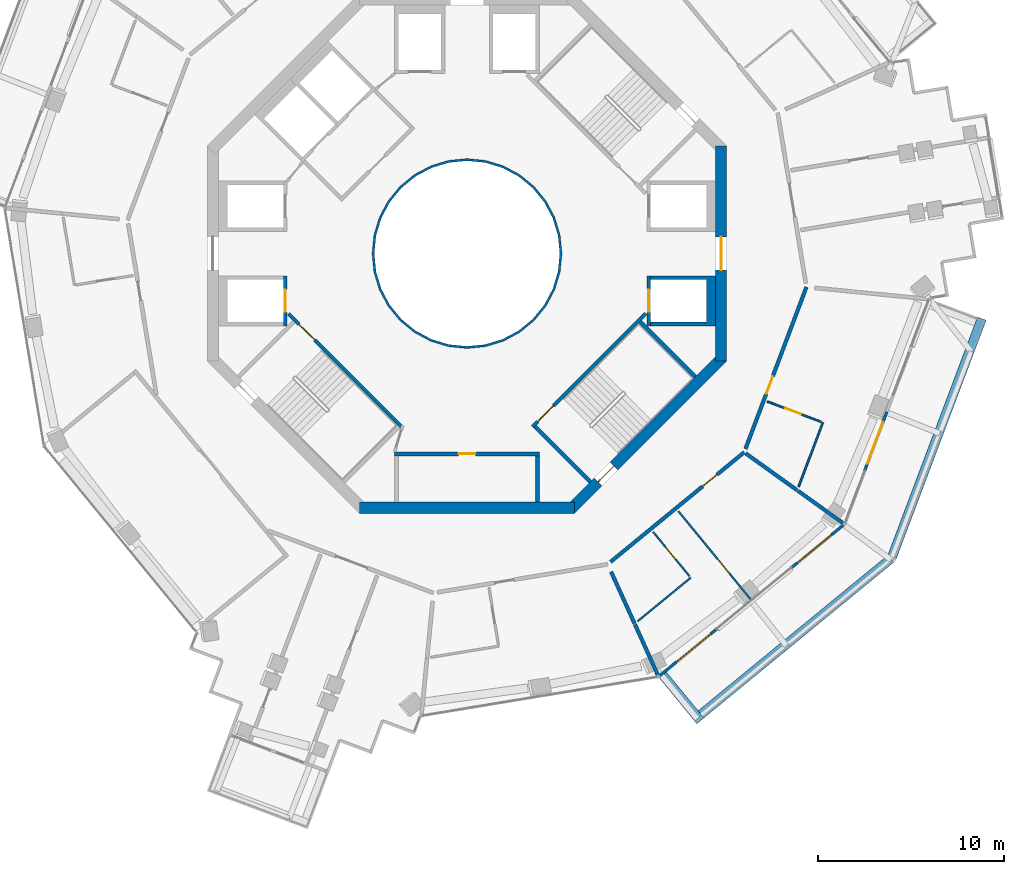
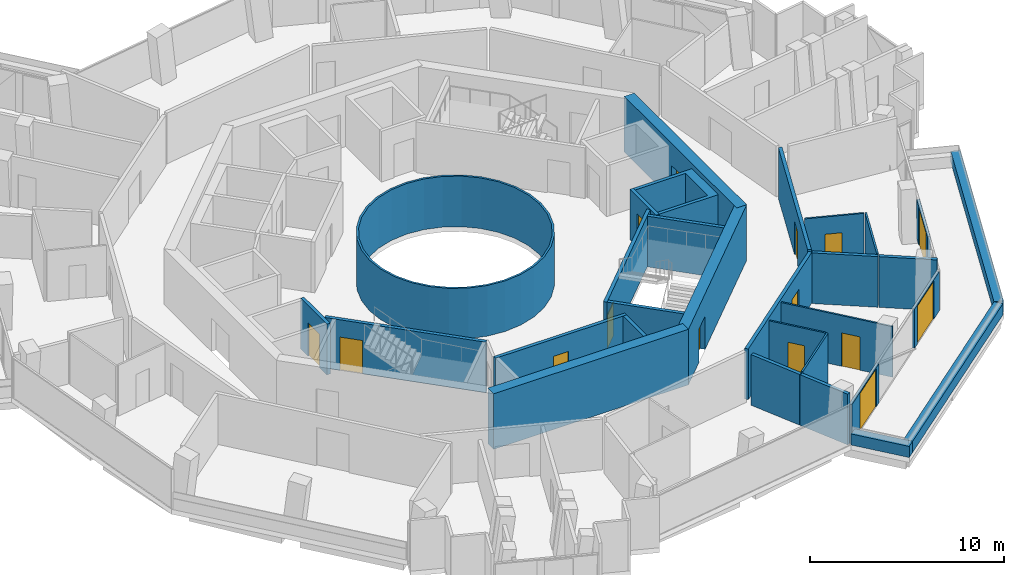
# One storey, part 15 of 21: 30 walls, 15 doors, 15 openings.
"""IFC4 building model written with IfcOpenShell, lengths in metres."""

from ifc_helpers import new_model, si_unit, direction, frame, frame_2d, origin, place, context, subcontext, project, spatial, polyline, rectangle, outline, extrude, material, layer, layer_set, type_object, element, fill, save


model = new_model("IFC4")

# Units and contexts
model_context = context("Model", 3, precision=1e-05, world=origin(), true_north=direction((0.0, 1.0)))
body_context = subcontext(model_context, "Body", "Model", "MODEL_VIEW")
ifc_project = project(units=[si_unit("LENGTHUNIT", "METRE"), si_unit("AREAUNIT", "SQUARE_METRE"), si_unit("VOLUMEUNIT", "CUBIC_METRE"), si_unit("PLANEANGLEUNIT", "RADIAN"), si_unit("MASSUNIT", "GRAM", prefix="KILO")], contexts=[model_context])

# Site, building, storey
site_placement = place(None, origin())
site = spatial("IfcSite", under=ifc_project, at=site_placement, CompositionType="ELEMENT")
building_placement = place(site_placement, origin())
building = spatial("IfcBuilding", under=site, at=building_placement, Name="Verdalira Terraces Hotel", CompositionType="ELEMENT")
storey_placement = place(building_placement, frame((0.0, 0.0, 194.0)))
storey = spatial("IfcBuildingStorey", under=building, at=storey_placement, Name="L47", CompositionType="ELEMENT", Elevation=194.0)

# Walls
ifc_material_1 = material(Name="Fire-resisting glass EI 180", Category="glass")
ifc_layer_1 = layer(ifc_material_1, 0.1201171875)
ifc_layer_set_1 = layer_set([ifc_layer_1], Name="Atrium fire screen 120 mm")
wall_type_1 = type_object("IfcWallType", Name="Atrium fire screen 120 mm", PredefinedType="SOLIDWALL", material=ifc_layer_set_1)
wall_1_placement = place(storey_placement, origin())
element("IfcWall", 1, at=wall_1_placement, inside=storey, type_object=wall_type_1, Name="Atrium fire screen", PredefinedType="SOLIDWALL", context=body_context, shape_type="SweptSolid", body=[
    extrude(outline(polyline([(5.021484, -0.998779), (4.730225, -1.959229), (4.25708, -2.844482), (3.620361, -3.620361), (2.844482, -4.25708), (1.959229, -4.730225), (0.998779, -5.021484), (0.0, -5.120117), (-0.998779, -5.021484), (-1.959229, -4.730225), (-2.844482, -4.25708), (-3.620361, -3.620361), (-4.25708, -2.844482), (-4.730225, -1.959229), (-5.021484, -0.998779), (-5.120117, 0.0), (-5.021484, 0.998779), (-4.730225, 1.959229), (-4.25708, 2.844482), (-3.620361, 3.620361), (-2.844482, 4.25708), (-1.959229, 4.730225), (-0.998779, 5.021484), (0.0, 5.120117), (0.998779, 5.021484), (1.959229, 4.730225), (2.844482, 4.25708), (3.620361, 3.620361), (4.25708, 2.844482), (4.730225, 1.959229), (5.021484, 0.998779), (5.120117, 0.0), (5.021484, -0.998779)]), holes=[polyline([(4.903809, 0.975586), (4.619385, 1.91333), (4.157227, 2.777832), (3.5354, 3.5354), (2.777832, 4.157227), (1.91333, 4.619385), (0.975586, 4.903809), (0.0, 5.0), (-0.975586, 4.903809), (-1.91333, 4.619385), (-2.777832, 4.157227), (-3.5354, 3.5354), (-4.157227, 2.777832), (-4.619385, 1.91333), (-4.903809, 0.975586), (-5.0, 0.0), (-4.903809, -0.975586), (-4.619385, -1.91333), (-4.157227, -2.777832), (-3.5354, -3.5354), (-2.777832, -4.157227), (-1.91333, -4.619385), (-0.975586, -4.903809), (0.0, -5.0), (0.975586, -4.903809), (1.91333, -4.619385), (2.777832, -4.157227), (3.5354, -3.5354), (4.157227, -2.777832), (4.619385, -1.91333), (4.903809, -0.975586), (5.0, 0.0), (4.903809, 0.975586)])]), origin(), (0.0, 0.0, 1.0), 3.189941),
])
ifc_material_2 = material(Name="Concrete C40", Category="concrete")
ifc_layer_2 = layer(ifc_material_2, 0.5)
ifc_layer_set_2 = layer_set([ifc_layer_2], Name="Balcony planter trough with tree")
wall_type_2 = type_object("IfcWallType", Name="Balcony planter trough with tree", PredefinedType="SOLIDWALL", material=ifc_layer_set_2)
wall_2_placement = place(storey_placement, frame((10.552734, -22.720459, 0.0), z_axis=(0.0, 0.0, 1.0), x_axis=(0.634197315, -0.773171239, 0.0)))
element("IfcWall", 2, at=wall_2_placement, inside=storey, type_object=wall_type_2, Name="Balcony planter", PredefinedType="SOLIDWALL", context=body_context, shape_type="SweptSolid", body=[
    extrude(rectangle(XDim=3.198975, YDim=0.5, at=frame_2d((1.599609, 0.0))), origin(), (0.0, 0.0, 1.0), 0.699951),
])
wall_3_placement = place(storey_placement, frame((12.616211, -24.842041, 0.0), z_axis=(0.0, 0.0, 1.0), x_axis=(0.773176896, 0.634190419, 0.0)))
element("IfcWall", 3, at=wall_3_placement, inside=storey, type_object=wall_type_2, Name="Balcony planter", PredefinedType="SOLIDWALL", context=body_context, shape_type="SweptSolid", body=[
    extrude(rectangle(XDim=13.223633, YDim=0.5, at=frame_2d((6.611816, 0.0))), origin(), (0.0, 0.0, 1.0), 0.699951),
])
wall_4_placement = place(storey_placement, frame((22.915771, -16.350586, 0.0), z_axis=(0.0, 0.0, 1.0), x_axis=(0.352493637, 0.93581421, 0.0)))
element("IfcWall", 4, at=wall_4_placement, inside=storey, type_object=wall_type_2, Name="Balcony planter", PredefinedType="SOLIDWALL", context=body_context, shape_type="SweptSolid", body=[
    extrude(rectangle(XDim=13.723389, YDim=0.5, at=frame_2d((6.861816, 0.0))), origin(), (0.0, 0.0, 1.0), 0.699951),
])
ifc_material_3 = material(Name="Moisture-resistant gypsum board partition")
ifc_layer_3 = layer(ifc_material_3, 0.10009765625)
ifc_layer_set_3 = layer_set([ifc_layer_3], Name="Bathroom partition 100 mm")
wall_type_3 = type_object("IfcWallType", Name="Bathroom partition 100 mm", PredefinedType="PARTITIONING", material=ifc_layer_set_3)
wall_5_placement = place(storey_placement, frame((9.195068, -19.823242, 0.0), z_axis=(0.0, 0.0, 1.0), x_axis=(0.773157898, 0.63421358, 0.0)))
element("IfcWall", 5, at=wall_5_placement, inside=storey, type_object=wall_type_3, Name="Bathroom partition", PredefinedType="PARTITIONING", context=body_context, shape_type="SweptSolid", body=[
    extrude(rectangle(XDim=3.704102, YDim=0.100098, at=frame_2d((1.852051, 0.0))), origin(), (0.0, 0.0, 1.0), 3.189941),
])

# Wall, opening, door
wall_6_placement = place(storey_placement, frame((11.995605, -17.396973, 0.0), z_axis=(0.0, 0.0, 1.0), x_axis=(-0.634185061, 0.77318129, 0.0)))
wall_6 = element("IfcWall", 6, at=wall_6_placement, inside=storey, type_object=wall_type_3, Name="Bathroom partition", PredefinedType="PARTITIONING", context=body_context, shape_type="SweptSolid", body=[
    extrude(rectangle(XDim=3.100098, YDim=0.100098, at=frame_2d((1.550049, 0.0))), origin(), (0.0, 0.0, 1.0), 3.189941),
])
opening_1_placement = place(wall_6_placement, frame((1.149902, 0.0, 0.0)))
opening_1 = element("IfcOpeningElement", 7, at=opening_1_placement, cuts=wall_6, Name="Opening L47-115", PredefinedType="OPENING", context=body_context, shape_type="SweptSolid", body=[
    extrude(rectangle(XDim=0.899902, YDim=2.100098, at=frame_2d((0.449951, 1.050049))), frame((0.0, 0.060059, 0.0), z_axis=(0.0, -1.0, 0.0), x_axis=(1.0, 0.0, 0.0)), (0.0, 0.0, 1.0), 0.120117),
])
ifc_material_4 = material(Name="Timber door", Category="wood")
door_type_1 = type_object("IfcDoorType", Name="Bathroom door 900 x 2100", OperationType="NOTDEFINED", PredefinedType="DOOR", material=ifc_material_4)
door_1_placement = place(opening_1_placement, origin())
door_1 = element("IfcDoor", 8, at=door_1_placement, inside=storey, type_object=door_type_1, Name="Bathroom door 4706", OperationType="SINGLE_SWING_LEFT", OverallHeight=2.10009765625, OverallWidth=0.89990234375, PredefinedType="DOOR", context=body_context, shape_type="SweptSolid", body=[
    extrude(rectangle(XDim=0.899902, YDim=2.100098, at=frame_2d((0.449951, 1.050049))), frame((0.0, 0.024902, 0.0), z_axis=(0.0, -1.0, 0.0), x_axis=(1.0, 0.0, 0.0)), (0.0, 0.0, 1.0), 0.050049),
])
fill(opening_1, door_1)

wall_7_placement = place(storey_placement, frame((15.289307, -18.639893, 0.0), z_axis=(0.0, 0.0, 1.0), x_axis=(-0.634214405, 0.773157221, 0.0)))
wall_7 = element("IfcWall", 9, at=wall_7_placement, inside=storey, type_object=wall_type_3, Name="Bathroom partition", PredefinedType="PARTITIONING", context=body_context, shape_type="SweptSolid", body=[
    extrude(rectangle(XDim=6.149902, YDim=0.100098, at=frame_2d((3.074951, 0.0))), origin(), (0.0, 0.0, 1.0), 3.189941),
])
opening_2_placement = place(wall_7_placement, frame((1.800049, 0.0, 0.0)))
opening_2 = element("IfcOpeningElement", 10, at=opening_2_placement, cuts=wall_7, Name="Opening L47-114", PredefinedType="OPENING", context=body_context, shape_type="SweptSolid", body=[
    extrude(rectangle(XDim=1.0, YDim=2.100098, at=frame_2d((0.5, 1.050049))), frame((0.0, 0.060059, 0.0), z_axis=(0.0, -1.0, 0.0), x_axis=(1.0, 0.0, 0.0)), (0.0, 0.0, 1.0), 0.120117),
])
ifc_material_5 = material(Name="Timber door", Category="wood")
door_type_2 = type_object("IfcDoorType", Name="Suite internal door 1000 x 2100", OperationType="NOTDEFINED", PredefinedType="DOOR", material=ifc_material_5)
door_2_placement = place(opening_2_placement, origin())
door_2 = element("IfcDoor", 11, at=door_2_placement, inside=storey, type_object=door_type_2, Name="Suite internal door 4706", OperationType="SINGLE_SWING_LEFT", OverallHeight=2.10009765625, OverallWidth=1.0, PredefinedType="DOOR", context=body_context, shape_type="SweptSolid", body=[
    extrude(rectangle(XDim=1.0, YDim=2.100098, at=frame_2d((0.5, 1.050049))), frame((0.0, 0.024902, 0.0), z_axis=(0.0, -1.0, 0.0), x_axis=(1.0, 0.0, 0.0)), (0.0, 0.0, 1.0), 0.050049),
])
fill(opening_2, door_2)

wall_8_placement = place(storey_placement, frame((19.086914, -9.068359, 0.0), z_axis=(0.0, 0.0, 1.0), x_axis=(-0.935813585, 0.352495296, 0.0)))
wall_8 = element("IfcWall", 12, at=wall_8_placement, inside=storey, type_object=wall_type_3, Name="Bathroom partition", PredefinedType="PARTITIONING", context=body_context, shape_type="SweptSolid", body=[
    extrude(rectangle(XDim=3.100098, YDim=0.100098, at=frame_2d((1.550049, 0.0))), origin(), (0.0, 0.0, 1.0), 3.189941),
])
opening_3_placement = place(wall_8_placement, frame((1.149902, 0.0, 0.0)))
opening_3 = element("IfcOpeningElement", 13, at=opening_3_placement, cuts=wall_8, Name="Opening L47-117", PredefinedType="OPENING", context=body_context, shape_type="SweptSolid", body=[
    extrude(rectangle(XDim=0.899902, YDim=2.100098, at=frame_2d((0.449951, 1.050049))), frame((0.0, 0.060059, 0.0), z_axis=(0.0, -1.0, 0.0), x_axis=(1.0, 0.0, 0.0)), (0.0, 0.0, 1.0), 0.120117),
])
door_3_placement = place(opening_3_placement, origin())
door_3 = element("IfcDoor", 14, at=door_3_placement, inside=storey, type_object=door_type_1, Name="Bathroom door 4707", OperationType="SINGLE_SWING_LEFT", OverallHeight=2.10009765625, OverallWidth=0.89990234375, PredefinedType="DOOR", context=body_context, shape_type="SweptSolid", body=[
    extrude(rectangle(XDim=0.899902, YDim=2.100098, at=frame_2d((0.449951, 1.050049))), frame((0.0, 0.024902, 0.0), z_axis=(0.0, -1.0, 0.0), x_axis=(1.0, 0.0, 0.0)), (0.0, 0.0, 1.0), 0.050049),
])
fill(opening_3, door_3)

# Walls
wall_9_placement = place(storey_placement, frame((19.18042, -9.10376, 0.0), z_axis=(0.0, 0.0, 1.0), x_axis=(-0.352517215, -0.935805329, 0.0)))
element("IfcWall", 15, at=wall_9_placement, inside=storey, type_object=wall_type_3, Name="Bathroom partition", PredefinedType="PARTITIONING", context=body_context, shape_type="SweptSolid", body=[
    extrude(rectangle(XDim=3.703857, YDim=0.100098, at=frame_2d((1.852051, 0.0))), origin(), (0.0, 0.0, 1.0), 3.189941),
])
ifc_material_6 = material(Name="Concrete C50", Category="concrete")
ifc_layer_4 = layer(ifc_material_6, 0.199951171875)
ifc_layer_set_4 = layer_set([ifc_layer_4], Name="Core RC wall 200 C50")
wall_type_4 = type_object("IfcWallType", Name="Core RC wall 200 C50", PredefinedType="SOLIDWALL", material=ifc_layer_set_4)
wall_10_placement = place(storey_placement, origin())
element("IfcWall", 16, at=wall_10_placement, inside=storey, type_object=wall_type_4, Name="L47 shaft wall E1", PredefinedType="SOLIDWALL", context=body_context, shape_type="SweptSolid", body=[
    extrude(outline(polyline([(13.399902, -3.899902), (9.899902, -3.899902), (9.899902, -3.699951), (12.899902, -3.699951), (12.899902, -1.399902), (9.899902, -1.399902), (9.899902, -1.199951), (13.399902, -1.199951), (13.399902, -3.899902)])), origin(), (0.0, 0.0, 1.0), 3.189941),
])

# Wall, opening, door
wall_11_placement = place(storey_placement, frame((9.800049, -1.199951, 0.0), z_axis=(0.0, 0.0, 1.0), x_axis=(0.0, -1.0, 0.0)))
wall_11 = element("IfcWall", 17, at=wall_11_placement, inside=storey, type_object=wall_type_4, Name="L47 shaft front wall E1", PredefinedType="SOLIDWALL", context=body_context, shape_type="SweptSolid", body=[
    extrude(rectangle(XDim=2.699951, YDim=0.199951, at=frame_2d((1.350098, 0.0))), origin(), (0.0, 0.0, 1.0), 3.189941),
])
opening_4_placement = place(wall_11_placement, frame((0.75, 0.0, 0.0)))
opening_4 = element("IfcOpeningElement", 18, at=opening_4_placement, cuts=wall_11, Name="Opening LD-L47-802", PredefinedType="OPENING", context=body_context, shape_type="SweptSolid", body=[
    extrude(rectangle(XDim=1.199951, YDim=2.100098, at=frame_2d((0.600098, 1.050049))), frame((0.0, 0.109863, 0.0), z_axis=(0.0, -1.0, 0.0), x_axis=(1.0, 0.0, 0.0)), (0.0, 0.0, 1.0), 0.219971),
])
ifc_material_7 = material(Name="Stainless steel", Category="steel")
door_type_3 = type_object("IfcDoorType", Name="Landing door 1200 x 2100", OperationType="NOTDEFINED", PredefinedType="DOOR", material=ifc_material_7)
door_4_placement = place(opening_4_placement, origin())
door_4 = element("IfcDoor", 19, at=door_4_placement, inside=storey, type_object=door_type_3, Name="Lift landing door HR1 L47", OperationType="DOUBLE_DOOR_SLIDING", OverallHeight=2.10009765625, OverallWidth=1.199951171875, PredefinedType="DOOR", context=body_context, shape_type="SweptSolid", body=[
    extrude(rectangle(XDim=1.199951, YDim=2.100098, at=frame_2d((0.600098, 1.050049))), frame((0.0, 0.024902, 0.0), z_axis=(0.0, -1.0, 0.0), x_axis=(1.0, 0.0, 0.0)), (0.0, 0.0, 1.0), 0.050049),
])
fill(opening_4, door_4)

wall_12_placement = place(storey_placement, frame((-9.800049, -1.199951, 0.0), z_axis=(0.0, 0.0, 1.0), x_axis=(0.0, -1.0, 0.0)))
wall_12 = element("IfcWall", 20, at=wall_12_placement, inside=storey, type_object=wall_type_4, Name="L47 shaft front wall W2", PredefinedType="SOLIDWALL", context=body_context, shape_type="SweptSolid", body=[
    extrude(rectangle(XDim=2.699951, YDim=0.199951, at=frame_2d((1.350098, 0.0))), origin(), (0.0, 0.0, 1.0), 3.189941),
])
opening_5_placement = place(wall_12_placement, frame((0.75, 0.0, 0.0)))
opening_5 = element("IfcOpeningElement", 21, at=opening_5_placement, cuts=wall_12, Name="Opening LD-L47-807", PredefinedType="OPENING", context=body_context, shape_type="SweptSolid", body=[
    extrude(rectangle(XDim=1.199951, YDim=2.100098, at=frame_2d((0.600098, 1.050049))), frame((0.0, 0.109863, 0.0), z_axis=(0.0, -1.0, 0.0), x_axis=(1.0, 0.0, 0.0)), (0.0, 0.0, 1.0), 0.219971),
])
door_5_placement = place(opening_5_placement, origin())
door_5 = element("IfcDoor", 22, at=door_5_placement, inside=storey, type_object=door_type_3, Name="Lift landing door HR6 L47", OperationType="DOUBLE_DOOR_SLIDING", OverallHeight=2.10009765625, OverallWidth=1.199951171875, PredefinedType="DOOR", context=body_context, shape_type="SweptSolid", body=[
    extrude(rectangle(XDim=1.199951, YDim=2.100098, at=frame_2d((0.600098, 1.050049))), frame((0.0, 0.024902, 0.0), z_axis=(0.0, -1.0, 0.0), x_axis=(1.0, 0.0, 0.0)), (0.0, 0.0, 1.0), 0.050049),
])
fill(opening_5, door_5)

wall_13_placement = place(storey_placement, frame((-3.899902, -10.800049, 0.0), z_axis=(0.0, 0.0, 1.0), x_axis=(1.0, 0.0, 0.0)))
wall_13 = element("IfcWall", 23, at=wall_13_placement, inside=storey, type_object=wall_type_4, Name="L47 store front wall", PredefinedType="SOLIDWALL", context=body_context, shape_type="SweptSolid", body=[
    extrude(rectangle(XDim=7.799805, YDim=0.199951, at=frame_2d((3.899902, 0.0))), origin(), (0.0, 0.0, 1.0), 3.189941),
])
opening_6_placement = place(wall_13_placement, frame((3.449951, 0.0, 0.0)))
opening_6 = element("IfcOpeningElement", 24, at=opening_6_placement, cuts=wall_13, Name="Opening L47-801", PredefinedType="OPENING", context=body_context, shape_type="SweptSolid", body=[
    extrude(rectangle(XDim=0.899902, YDim=2.100098, at=frame_2d((0.449951, 1.050049))), frame((0.0, 0.109863, 0.0), z_axis=(0.0, -1.0, 0.0), x_axis=(1.0, 0.0, 0.0)), (0.0, 0.0, 1.0), 0.219971),
])
ifc_material_8 = material(Name="Steel fire door", Category="steel")
door_type_4 = type_object("IfcDoorType", Name="Core room door 900 x 2100", OperationType="NOTDEFINED", PredefinedType="DOOR", material=ifc_material_8)
door_6_placement = place(opening_6_placement, origin())
door_6 = element("IfcDoor", 25, at=door_6_placement, inside=storey, type_object=door_type_4, Name="Store door L47 SS", OperationType="SINGLE_SWING_LEFT", OverallHeight=2.10009765625, OverallWidth=0.89990234375, PredefinedType="DOOR", context=body_context, shape_type="SweptSolid", body=[
    extrude(rectangle(XDim=0.899902, YDim=2.100098, at=frame_2d((0.449951, 1.050049))), frame((0.0, 0.024902, 0.0), z_axis=(0.0, -1.0, 0.0), x_axis=(1.0, 0.0, 0.0)), (0.0, 0.0, 1.0), 0.050049),
])
fill(opening_6, door_6)

# Wall
wall_14_placement = place(storey_placement, frame((3.800049, -10.899902, 0.0), z_axis=(0.0, 0.0, 1.0), x_axis=(0.0, -1.0, 0.0)))
element("IfcWall", 26, at=wall_14_placement, inside=storey, type_object=wall_type_4, Name="L47 store side wall", PredefinedType="SOLIDWALL", context=body_context, shape_type="SweptSolid", body=[
    extrude(rectangle(XDim=2.5, YDim=0.199951, at=frame_2d((1.25, 0.0))), origin(), (0.0, 0.0, 1.0), 3.189941),
])

# Wall, opening, door
wall_15_placement = place(storey_placement, frame((-3.5354, -9.33374, 0.0), z_axis=(0.0, 0.0, 1.0), x_axis=(-0.707120946, 0.707092617, 0.0)))
wall_15 = element("IfcWall", 27, at=wall_15_placement, inside=storey, type_object=wall_type_4, Name="L47 stair ST2 front wall", PredefinedType="SOLIDWALL", context=body_context, shape_type="SweptSolid", body=[
    extrude(rectangle(XDim=8.61792, YDim=0.199951, at=frame_2d((4.309082, 0.0))), origin(), (0.0, 0.0, 1.0), 3.189941),
])
opening_7_placement = place(wall_15_placement, frame((6.600098, 0.0, 0.0)))
opening_7 = element("IfcOpeningElement", 28, at=opening_7_placement, cuts=wall_15, Name="Opening L47-811", PredefinedType="OPENING", context=body_context, shape_type="SweptSolid", body=[
    extrude(rectangle(XDim=1.199951, YDim=2.100098, at=frame_2d((0.600098, 1.050049))), frame((0.0, 0.109863, 0.0), z_axis=(0.0, -1.0, 0.0), x_axis=(1.0, 0.0, 0.0)), (0.0, 0.0, 1.0), 0.219971),
])
ifc_material_9 = material(Name="Steel fire door", Category="steel")
door_type_5 = type_object("IfcDoorType", Name="Stair door 1200 x 2100", OperationType="NOTDEFINED", PredefinedType="DOOR", material=ifc_material_9)
door_7_placement = place(opening_7_placement, origin())
door_7 = element("IfcDoor", 29, at=door_7_placement, inside=storey, type_object=door_type_5, Name="Stair door ST2 L47", OperationType="SINGLE_SWING_RIGHT", OverallHeight=2.10009765625, OverallWidth=1.199951171875, PredefinedType="DOOR", context=body_context, shape_type="SweptSolid", body=[
    extrude(rectangle(XDim=1.199951, YDim=2.100098, at=frame_2d((0.600098, 1.050049))), frame((0.0, 0.024902, 0.0), z_axis=(0.0, -1.0, 0.0), x_axis=(1.0, 0.0, 0.0)), (0.0, 0.0, 1.0), 0.050049),
])
fill(opening_7, door_7)

wall_16_placement = place(storey_placement, frame((9.629395, -3.23999, 0.0), z_axis=(0.0, 0.0, 1.0), x_axis=(-0.707120946, -0.707092617, 0.0)))
wall_16 = element("IfcWall", 30, at=wall_16_placement, inside=storey, type_object=wall_type_4, Name="L47 stair ST3 front wall", PredefinedType="SOLIDWALL", context=body_context, shape_type="SweptSolid", body=[
    extrude(rectangle(XDim=8.61792, YDim=0.199951, at=frame_2d((4.309082, 0.0))), origin(), (0.0, 0.0, 1.0), 3.189941),
])
opening_8_placement = place(wall_16_placement, frame((7.017822, 0.0, 0.0)))
opening_8 = element("IfcOpeningElement", 31, at=opening_8_placement, cuts=wall_16, Name="Opening L47-812", PredefinedType="OPENING", context=body_context, shape_type="SweptSolid", body=[
    extrude(rectangle(XDim=1.199951, YDim=2.100098, at=frame_2d((0.600098, 1.050049))), frame((0.0, 0.109863, 0.0), z_axis=(0.0, -1.0, 0.0), x_axis=(1.0, 0.0, 0.0)), (0.0, 0.0, 1.0), 0.219971),
])
door_8_placement = place(opening_8_placement, origin())
door_8 = element("IfcDoor", 32, at=door_8_placement, inside=storey, type_object=door_type_5, Name="Stair door ST3 L47", OperationType="SINGLE_SWING_RIGHT", OverallHeight=2.10009765625, OverallWidth=1.199951171875, PredefinedType="DOOR", context=body_context, shape_type="SweptSolid", body=[
    extrude(rectangle(XDim=1.199951, YDim=2.100098, at=frame_2d((0.600098, 1.050049))), frame((0.0, 0.024902, 0.0), z_axis=(0.0, -1.0, 0.0), x_axis=(1.0, 0.0, 0.0)), (0.0, 0.0, 1.0), 0.050049),
])
fill(opening_8, door_8)

# Walls
for number, where, z_axis, x_axis, name in (
    (33, (3.677002, -9.33374, 0.0), (0.0, 0.0, 1.0), (0.707077716, -0.707135845, 0.0), "L47 stair ST3 end wall 1"),
    (34, (9.33374, -3.677002, 0.0), (0.0, 0.0, 1.0), (0.707135845, -0.707077716, 0.0), "L47 stair ST3 end wall 2"),
):
    element("IfcWall", number, at=place(storey_placement, frame(where, z_axis=z_axis, x_axis=x_axis)), inside=storey, type_object=wall_type_4, Name=name, PredefinedType="SOLIDWALL", context=body_context, shape_type="SweptSolid", body=[
        extrude(rectangle(XDim=4.199951, YDim=0.199951, at=frame_2d((2.100098, 0.0))), origin(), (0.0, 0.0, 1.0), 3.189941),
    ])

# Wall, opening, door
ifc_material_10 = material(Name="Concrete C60", Category="concrete")
ifc_layer_5 = layer(ifc_material_10, 0.60009765625)
ifc_layer_set_5 = layer_set([ifc_layer_5], Name="Core wall 600 C60")
wall_type_5 = type_object("IfcWallType", Name="Core wall 600 C60", PredefinedType="SHEAR", material=ifc_layer_set_5)
wall_17_placement = place(storey_placement, frame((13.699951, -5.799072, 0.0), z_axis=(0.0, 0.0, 1.0), x_axis=(0.0, 1.0, 0.0)))
wall_17 = element("IfcWall", 35, at=wall_17_placement, inside=storey, type_object=wall_type_5, Name="Core wall CW-L47-1", PredefinedType="SHEAR", context=body_context, shape_type="SweptSolid", body=[
    extrude(rectangle(XDim=11.598145, YDim=0.600098, at=frame_2d((5.799072, 0.0))), origin(), (0.0, 0.0, 1.0), 3.5),
])
opening_9_placement = place(wall_17_placement, frame((4.898926, 0.0, 0.0)))
opening_9 = element("IfcOpeningElement", 36, at=opening_9_placement, cuts=wall_17, Name="Opening L47-813", PredefinedType="OPENING", context=body_context, shape_type="SweptSolid", body=[
    extrude(rectangle(XDim=1.800049, YDim=2.100098, at=frame_2d((0.899902, 1.050049))), frame((0.0, 0.310059, 0.0), z_axis=(0.0, -1.0, 0.0), x_axis=(1.0, 0.0, 0.0)), (0.0, 0.0, 1.0), 0.620117),
])
ifc_material_11 = material(Name="Steel fire door", Category="steel")
door_type_6 = type_object("IfcDoorType", Name="Core entry door pair 1800 x 2100", OperationType="NOTDEFINED", PredefinedType="DOOR", material=ifc_material_11)
door_9_placement = place(opening_9_placement, origin())
door_9 = element("IfcDoor", 37, at=door_9_placement, inside=storey, type_object=door_type_6, Name="Core entry door L47 0", OperationType="DOUBLE_DOOR_SINGLE_SWING", OverallHeight=2.10009765625, OverallWidth=1.800048828125, PredefinedType="DOOR", context=body_context, shape_type="SweptSolid", body=[
    extrude(rectangle(XDim=1.800049, YDim=2.100098, at=frame_2d((0.899902, 1.050049))), frame((0.0, 0.024902, 0.0), z_axis=(0.0, -1.0, 0.0), x_axis=(1.0, 0.0, 0.0)), (0.0, 0.0, 1.0), 0.050049),
])
fill(opening_9, door_9)

# Wall
wall_18_placement = place(storey_placement, frame((-5.799072, -13.699951, 0.0), z_axis=(0.0, 0.0, 1.0), x_axis=(1.0, 0.0, 0.0)))
element("IfcWall", 38, at=wall_18_placement, inside=storey, type_object=wall_type_5, Name="Core wall CW-L47-7", PredefinedType="SHEAR", context=body_context, shape_type="SweptSolid", body=[
    extrude(rectangle(XDim=11.598145, YDim=0.600098, at=frame_2d((5.799072, 0.0))), origin(), (0.0, 0.0, 1.0), 3.5),
])

# Wall, opening, door
wall_19_placement = place(storey_placement, frame((5.586914, -13.787842, 0.0), z_axis=(0.0, 0.0, 1.0), x_axis=(0.707106781, 0.707106781, 0.0)))
wall_19 = element("IfcWall", 39, at=wall_19_placement, inside=storey, type_object=wall_type_5, Name="Core wall CW-L47-8", PredefinedType="SHEAR", context=body_context, shape_type="SweptSolid", body=[
    extrude(rectangle(XDim=11.5979, YDim=0.600098, at=frame_2d((5.798828, 0.0))), origin(), (0.0, 0.0, 1.0), 3.5),
])
opening_10_placement = place(wall_19_placement, frame((2.099121, 0.0, 0.0)))
opening_10 = element("IfcOpeningElement", 40, at=opening_10_placement, cuts=wall_19, Name="Opening L47-818", PredefinedType="OPENING", context=body_context, shape_type="SweptSolid", body=[
    extrude(rectangle(XDim=1.199951, YDim=2.100098, at=frame_2d((0.600098, 1.050049))), frame((0.0, 0.310059, 0.0), z_axis=(0.0, -1.0, 0.0), x_axis=(1.0, 0.0, 0.0)), (0.0, 0.0, 1.0), 0.620117),
])
door_10_placement = place(opening_10_placement, origin())
door_10 = element("IfcDoor", 41, at=door_10_placement, inside=storey, type_object=door_type_5, Name="Stair exit door ST3 L47", OperationType="SINGLE_SWING_LEFT", OverallHeight=2.10009765625, OverallWidth=1.199951171875, PredefinedType="DOOR", context=body_context, shape_type="SweptSolid", body=[
    extrude(rectangle(XDim=1.199951, YDim=2.100098, at=frame_2d((0.600098, 1.050049))), frame((0.0, 0.024902, 0.0), z_axis=(0.0, -1.0, 0.0), x_axis=(1.0, 0.0, 0.0)), (0.0, 0.0, 1.0), 0.050049),
])
fill(opening_10, door_10)

# Walls
ifc_material_12 = material(Name="Fire-rated gypsum board wall")
ifc_layer_6 = layer(ifc_material_12, 0.199951171875)
ifc_layer_set_6 = layer_set([ifc_layer_6], Name="Demising wall 200 mm")
wall_type_6 = type_object("IfcWallType", Name="Demising wall 200 mm", PredefinedType="SOLIDWALL", material=ifc_layer_set_6)
wall_20_placement = place(storey_placement, frame((7.767578, -17.155518, 0.0), z_axis=(0.0, 0.0, 1.0), x_axis=(0.412516256, -0.910950239, 0.0)))
element("IfcWall", 42, at=wall_20_placement, inside=storey, type_object=wall_type_6, Name="Demising wall", PredefinedType="SOLIDWALL", context=body_context, shape_type="SweptSolid", body=[
    extrude(rectangle(XDim=3.074463, YDim=0.199951, at=frame_2d((1.537109, 0.0))), origin(), (0.0, 0.0, 1.0), 3.189941),
])
wall_21_placement = place(storey_placement, frame((9.054688, -19.998291, 0.0), z_axis=(0.0, 0.0, 1.0), x_axis=(0.412507553, -0.91095418, 0.0)))
element("IfcWall", 43, at=wall_21_placement, inside=storey, type_object=wall_type_6, Name="Demising wall", PredefinedType="SOLIDWALL", context=body_context, shape_type="SweptSolid", body=[
    extrude(rectangle(XDim=3.01123, YDim=0.199951, at=frame_2d((1.505615, 0.0))), origin(), (0.0, 0.0, 1.0), 3.189941),
])
wall_22_placement = place(storey_placement, frame((15.025391, -10.772949, 0.0), z_axis=(0.0, 0.0, 1.0), x_axis=(0.812680152, -0.582710023, 0.0)))
element("IfcWall", 44, at=wall_22_placement, inside=storey, type_object=wall_type_6, Name="Demising wall", PredefinedType="SOLIDWALL", context=body_context, shape_type="SweptSolid", body=[
    extrude(rectangle(XDim=3.418457, YDim=0.199951, at=frame_2d((1.709229, 0.0))), origin(), (0.0, 0.0, 1.0), 3.189941),
])
wall_23_placement = place(storey_placement, frame((17.84082, -12.791504, 0.0), z_axis=(0.0, 0.0, 1.0), x_axis=(0.812658436, -0.582740307, 0.0)))
element("IfcWall", 45, at=wall_23_placement, inside=storey, type_object=wall_type_6, Name="Demising wall", PredefinedType="SOLIDWALL", context=body_context, shape_type="SweptSolid", body=[
    extrude(rectangle(XDim=3.011475, YDim=0.199951, at=frame_2d((1.505859, 0.0))), origin(), (0.0, 0.0, 1.0), 3.189941),
])

# Wall, opening, door
ifc_material_13 = material(Name="Fire-rated gypsum board wall")
ifc_layer_7 = layer(ifc_material_13, 0.199951171875)
ifc_layer_set_7 = layer_set([ifc_layer_7], Name="Guest corridor wall 200 mm")
wall_type_7 = type_object("IfcWallType", Name="Guest corridor wall 200 mm", PredefinedType="SOLIDWALL", material=ifc_layer_set_7)
wall_24_placement = place(storey_placement, frame((14.941162, -10.712646, 0.0), z_axis=(0.0, 0.0, 1.0), x_axis=(-0.773179127, -0.634187699, 0.0)))
wall_24 = element("IfcWall", 46, at=wall_24_placement, inside=storey, type_object=wall_type_7, Name="Guest corridor wall", PredefinedType="SOLIDWALL", context=body_context, shape_type="SweptSolid", body=[
    extrude(rectangle(XDim=9.31665, YDim=0.199951, at=frame_2d((4.658203, 0.0))), origin(), (0.0, 0.0, 1.0), 3.189941),
])
opening_11_placement = place(wall_24_placement, frame((1.899902, 0.0, 0.0)))
opening_11 = element("IfcOpeningElement", 47, at=opening_11_placement, cuts=wall_24, Name="Opening L47-113", PredefinedType="OPENING", context=body_context, shape_type="SweptSolid", body=[
    extrude(rectangle(XDim=1.0, YDim=2.100098, at=frame_2d((0.5, 1.050049))), frame((0.0, 0.109863, 0.0), z_axis=(0.0, -1.0, 0.0), x_axis=(1.0, 0.0, 0.0)), (0.0, 0.0, 1.0), 0.219971),
])
ifc_material_14 = material(Name="Timber fire door", Category="wood")
door_type_7 = type_object("IfcDoorType", Name="Guest entry door 1000 x 2100", OperationType="NOTDEFINED", PredefinedType="DOOR", material=ifc_material_14)
door_11_placement = place(opening_11_placement, origin())
door_11 = element("IfcDoor", 48, at=door_11_placement, inside=storey, type_object=door_type_7, Name="Guest entry door 4706", OperationType="SINGLE_SWING_LEFT", OverallHeight=2.10009765625, OverallWidth=1.0, PredefinedType="DOOR", context=body_context, shape_type="SweptSolid", body=[
    extrude(rectangle(XDim=1.0, YDim=2.100098, at=frame_2d((0.5, 1.050049))), frame((0.0, 0.024902, 0.0), z_axis=(0.0, -1.0, 0.0), x_axis=(1.0, 0.0, 0.0)), (0.0, 0.0, 1.0), 0.050049),
])
fill(opening_11, door_11)

wall_25_placement = place(storey_placement, frame((18.295898, -1.806885, 0.0), z_axis=(0.0, 0.0, 1.0), x_axis=(-0.352510128, -0.935807998, 0.0)))
wall_25 = element("IfcWall", 49, at=wall_25_placement, inside=storey, type_object=wall_type_7, Name="Guest corridor wall", PredefinedType="SOLIDWALL", context=body_context, shape_type="SweptSolid", body=[
    extrude(rectangle(XDim=9.31665, YDim=0.199951, at=frame_2d((4.658203, 0.0))), origin(), (0.0, 0.0, 1.0), 3.189941),
])
opening_12_placement = place(wall_25_placement, frame((5.149902, 0.0, 0.0)))
opening_12 = element("IfcOpeningElement", 50, at=opening_12_placement, cuts=wall_25, Name="Opening L47-116", PredefinedType="OPENING", context=body_context, shape_type="SweptSolid", body=[
    extrude(rectangle(XDim=1.0, YDim=2.100098, at=frame_2d((0.5, 1.050049))), frame((0.0, 0.109863, 0.0), z_axis=(0.0, -1.0, 0.0), x_axis=(1.0, 0.0, 0.0)), (0.0, 0.0, 1.0), 0.219971),
])
door_12_placement = place(opening_12_placement, origin())
door_12 = element("IfcDoor", 51, at=door_12_placement, inside=storey, type_object=door_type_7, Name="Guest entry door 4707", OperationType="SINGLE_SWING_LEFT", OverallHeight=2.10009765625, OverallWidth=1.0, PredefinedType="DOOR", context=body_context, shape_type="SweptSolid", body=[
    extrude(rectangle(XDim=1.0, YDim=2.100098, at=frame_2d((0.5, 1.050049))), frame((0.0, 0.024902, 0.0), z_axis=(0.0, -1.0, 0.0), x_axis=(1.0, 0.0, 0.0)), (0.0, 0.0, 1.0), 0.050049),
])
fill(opening_12, door_12)

ifc_material_15 = material(Name="Terracotta cladding", Category="masonry")
ifc_layer_8 = layer(ifc_material_15, 0.14990234375)
ifc_layer_set_8 = layer_set([ifc_layer_8], Name="Terracotta door pier 150")
wall_type_8 = type_object("IfcWallType", Name="Terracotta door pier 150", PredefinedType="SOLIDWALL", material=ifc_layer_set_8)
wall_26_placement = place(storey_placement, frame((10.388672, -22.756592, 0.0), z_axis=(0.0, 0.0, 1.0), x_axis=(0.773191746, 0.634172314, 0.0)))
wall_26 = element("IfcWall", 52, at=wall_26_placement, inside=storey, type_object=wall_type_8, Name="Terracotta door pier", PredefinedType="SOLIDWALL", context=body_context, shape_type="SweptSolid", body=[
    extrude(rectangle(XDim=3.967285, YDim=0.149902, at=frame_2d((1.983643, 0.0))), origin(), (0.0, 0.0, 1.0), 2.475098),
])
opening_13_placement = place(wall_26_placement, frame((1.167236, 0.0, 0.0)))
opening_13 = element("IfcOpeningElement", 53, at=opening_13_placement, cuts=wall_26, Name="Opening L47-B07", PredefinedType="OPENING", context=body_context, shape_type="SweptSolid", body=[
    extrude(rectangle(XDim=2.399902, YDim=2.399902, at=frame_2d((1.199951, 1.199951))), frame((0.0, 0.084961, 0.0), z_axis=(0.0, -1.0, 0.0), x_axis=(1.0, 0.0, 0.0)), (0.0, 0.0, 1.0), 0.169922),
])
ifc_material_16 = material(Name="Clear glass", Category="glass")
door_type_8 = type_object("IfcDoorType", Name="Balcony sliding door 2400x2400", OperationType="NOTDEFINED", PredefinedType="DOOR", material=ifc_material_16)
door_13_placement = place(opening_13_placement, origin())
door_13 = element("IfcDoor", 54, at=door_13_placement, inside=storey, type_object=door_type_8, Name="Balcony sliding door", OperationType="SLIDING_TO_LEFT", OverallHeight=2.39990234375, OverallWidth=2.39990234375, PredefinedType="DOOR", context=body_context, shape_type="SweptSolid", body=[
    extrude(rectangle(XDim=2.399902, YDim=2.399902, at=frame_2d((1.199951, 1.199951))), frame((0.0, 0.024902, 0.0), z_axis=(0.0, -1.0, 0.0), x_axis=(1.0, 0.0, 0.0)), (0.0, 0.0, 1.0), 0.050049),
])
fill(opening_13, door_13)

wall_27_placement = place(storey_placement, frame((17.494873, -16.927979, 0.0), z_axis=(0.0, 0.0, 1.0), x_axis=(0.773166937, 0.634202561, 0.0)))
wall_27 = element("IfcWall", 55, at=wall_27_placement, inside=storey, type_object=wall_type_8, Name="Terracotta door pier", PredefinedType="SOLIDWALL", context=body_context, shape_type="SweptSolid", body=[
    extrude(rectangle(XDim=3.608643, YDim=0.149902, at=frame_2d((1.804199, 0.0))), origin(), (0.0, 0.0, 1.0), 2.475098),
])
opening_14_placement = place(wall_27_placement, frame((0.399902, 0.0, 0.0)))
opening_14 = element("IfcOpeningElement", 56, at=opening_14_placement, cuts=wall_27, Name="Opening L47-B08", PredefinedType="OPENING", context=body_context, shape_type="SweptSolid", body=[
    extrude(rectangle(XDim=2.399902, YDim=2.399902, at=frame_2d((1.199951, 1.199951))), frame((0.0, 0.084961, 0.0), z_axis=(0.0, -1.0, 0.0), x_axis=(1.0, 0.0, 0.0)), (0.0, 0.0, 1.0), 0.169922),
])
door_14_placement = place(opening_14_placement, origin())
door_14 = element("IfcDoor", 57, at=door_14_placement, inside=storey, type_object=door_type_8, Name="Balcony sliding door", OperationType="SLIDING_TO_RIGHT", OverallHeight=2.39990234375, OverallWidth=2.39990234375, PredefinedType="DOOR", context=body_context, shape_type="SweptSolid", body=[
    extrude(rectangle(XDim=2.399902, YDim=2.399902, at=frame_2d((1.199951, 1.199951))), frame((0.0, 0.024902, 0.0), z_axis=(0.0, -1.0, 0.0), x_axis=(1.0, 0.0, 0.0)), (0.0, 0.0, 1.0), 0.050049),
])
fill(opening_14, door_14)

wall_28_placement = place(storey_placement, frame((21.432617, -11.706299, 0.0), z_axis=(0.0, 0.0, 1.0), x_axis=(0.35248439, 0.935817693, 0.0)))
wall_28 = element("IfcWall", 58, at=wall_28_placement, inside=storey, type_object=wall_type_8, Name="Terracotta door pier", PredefinedType="SOLIDWALL", context=body_context, shape_type="SweptSolid", body=[
    extrude(rectangle(XDim=3.400146, YDim=0.149902, at=frame_2d((1.700195, 0.0))), origin(), (0.0, 0.0, 1.0), 2.475098),
])
opening_15_placement = place(wall_28_placement, frame((0.399902, 0.0, 0.0)))
opening_15 = element("IfcOpeningElement", 59, at=opening_15_placement, cuts=wall_28, Name="Opening L47-B09", PredefinedType="OPENING", context=body_context, shape_type="SweptSolid", body=[
    extrude(rectangle(XDim=2.399902, YDim=2.399902, at=frame_2d((1.199951, 1.199951))), frame((0.0, 0.084961, 0.0), z_axis=(0.0, -1.0, 0.0), x_axis=(1.0, 0.0, 0.0)), (0.0, 0.0, 1.0), 0.169922),
])
door_15_placement = place(opening_15_placement, origin())
door_15 = element("IfcDoor", 60, at=door_15_placement, inside=storey, type_object=door_type_8, Name="Balcony sliding door", OperationType="SLIDING_TO_RIGHT", OverallHeight=2.39990234375, OverallWidth=2.39990234375, PredefinedType="DOOR", context=body_context, shape_type="SweptSolid", body=[
    extrude(rectangle(XDim=2.399902, YDim=2.399902, at=frame_2d((1.199951, 1.199951))), frame((0.0, 0.024902, 0.0), z_axis=(0.0, -1.0, 0.0), x_axis=(1.0, 0.0, 0.0)), (0.0, 0.0, 1.0), 0.050049),
])
fill(opening_15, door_15)

save(model, "model.ifc")
